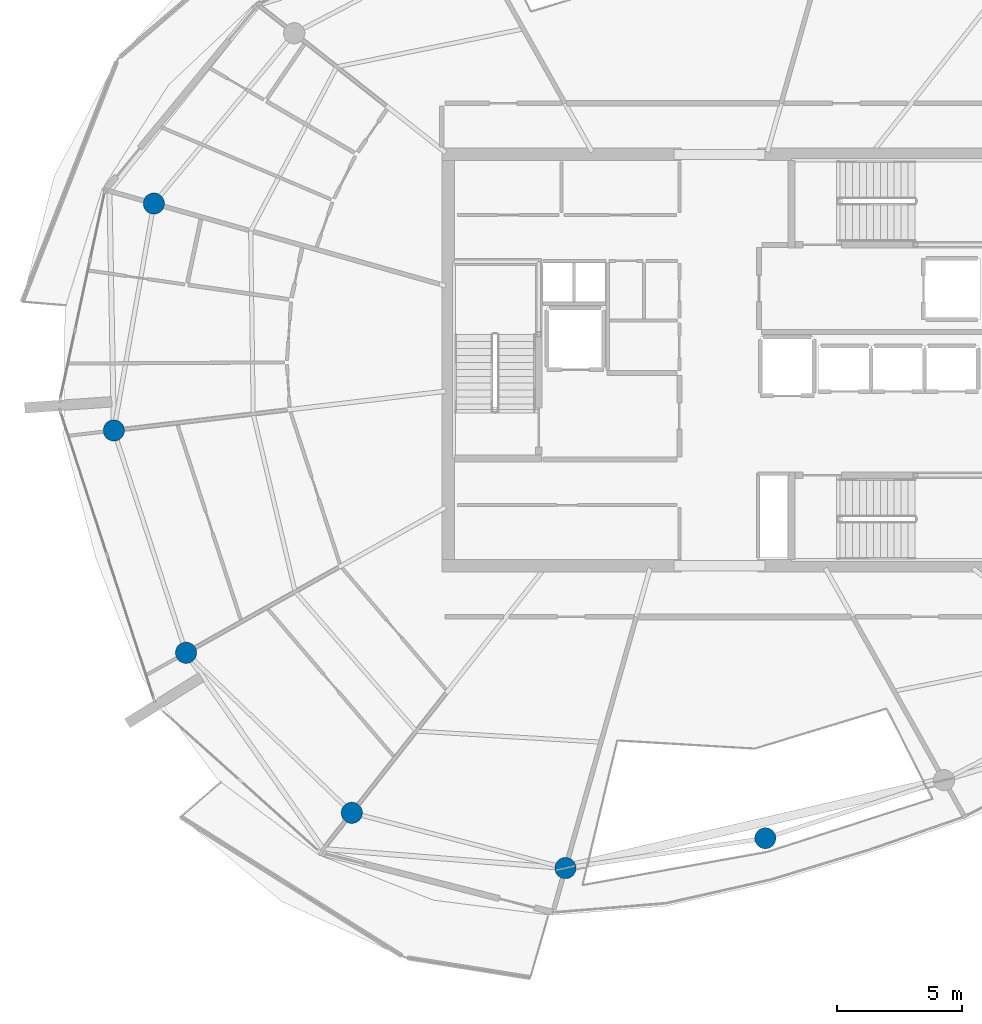
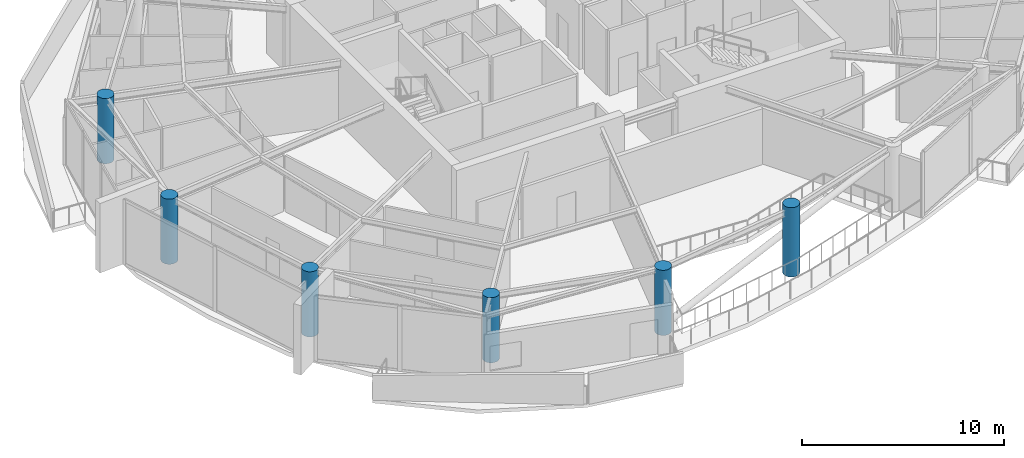
# One storey, part 1 of 22: 6 columns.
"""IFC4 building model written with IfcOpenShell, lengths in metres."""

from ifc_helpers import new_model, si_unit, direction, frame, origin, origin_2d, place, context, subcontext, project, spatial, circle, extrude, material, material_profile, profile_set, type_object, element, save


model = new_model("IFC4")

# Units and contexts
model_context = context("Model", 3, precision=1e-05, world=origin(), true_north=direction((0.0, 1.0)))
body_context = subcontext(model_context, "Body", "Model", "MODEL_VIEW")
ifc_project = project(units=[si_unit("LENGTHUNIT", "METRE"), si_unit("AREAUNIT", "SQUARE_METRE"), si_unit("VOLUMEUNIT", "CUBIC_METRE"), si_unit("PLANEANGLEUNIT", "RADIAN"), si_unit("MASSUNIT", "GRAM", prefix="KILO")], contexts=[model_context])

# Site, building, storey
site_placement = place(None, origin())
site = spatial("IfcSite", under=ifc_project, at=site_placement, CompositionType="ELEMENT")
building_placement = place(site_placement, origin())
building = spatial("IfcBuilding", under=site, at=building_placement, Name="Kazma Halo Residences", CompositionType="ELEMENT")
storey_placement = place(building_placement, frame((0.0, 0.0, 334.699951171875)))
storey = spatial("IfcBuildingStorey", under=building, at=storey_placement, Name="L84", CompositionType="ELEMENT", Elevation=334.699951171875)

# Columns
ifc_material = material(Name="Concrete C60/75", Category="concrete")
ifc_material_profile = material_profile(ifc_material, circle(Radius=0.425048828125, at=origin_2d()), Name="CIRC850")
ifc_profile_set = profile_set([ifc_material_profile], Name="Concrete C60/75")
column_type = type_object("IfcColumnType", Name="COL-PERIM-850", PredefinedType="COLUMN", material=ifc_profile_set)
for number, where, z_axis, x_axis, name in (
    (1, (25.744384765625, 48.276611328125, 0.0), (0.0, 0.0, 1.0), (1.0, 0.0, 0.0), "L84 perimeter ring column P07"),
    (2, (24.1396484375, 39.17578125, 0.0), (0.0, 0.0, 1.0), (1.0, 0.0, 0.0), "L84 perimeter ring column P08"),
    (3, (27.03662109375, 30.260009765625, 0.0), (0.0, 0.0, 1.0), (1.0, 0.0, 0.0), "L84 perimeter ring column P09"),
    (4, (33.68408203125, 23.840576171875, 0.0), (0.0, 0.0, 1.0), (1.0, 0.0, 0.0), "L84 perimeter ring column P10"),
    (5, (42.25341796875, 21.62353515625, 0.0), (0.0, 0.0, 1.0), (1.0, 0.0, 0.0), "L84 perimeter ring column P11"),
):
    element("IfcColumn", number, at=place(storey_placement, frame(where, z_axis=z_axis, x_axis=x_axis)), inside=storey, type_object=column_type, Name=name, PredefinedType="COLUMN", context=body_context, shape_type="SweptSolid", body=[
        extrude(circle(Radius=0.425048828125, at=origin_2d()), origin(), (0.0, 0.0, 1.0), 3.93994140625),
    ])
column_placement = place(storey_placement, frame((50.27001953125, 22.82080078125, 0.0), z_axis=(0.0, 0.0, 1.0), x_axis=(1.0, 0.0, 0.0)))
element("IfcColumn", 6, at=column_placement, inside=storey, type_object=column_type, Name="L84 perimeter ring column P12", PredefinedType="COLUMN", context=body_context, shape_type="SweptSolid", body=[
    extrude(circle(Radius=0.425048828125, at=origin_2d()), origin(), (0.0, 0.0, 1.0), 4.196044921875),
])

save(model, "model.ifc")
